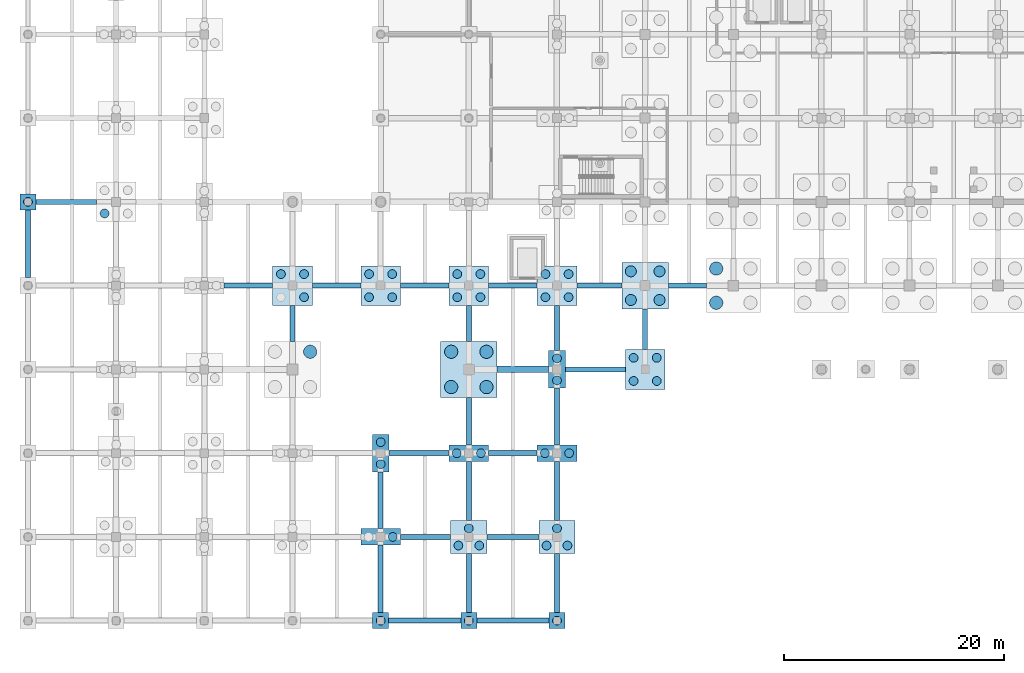
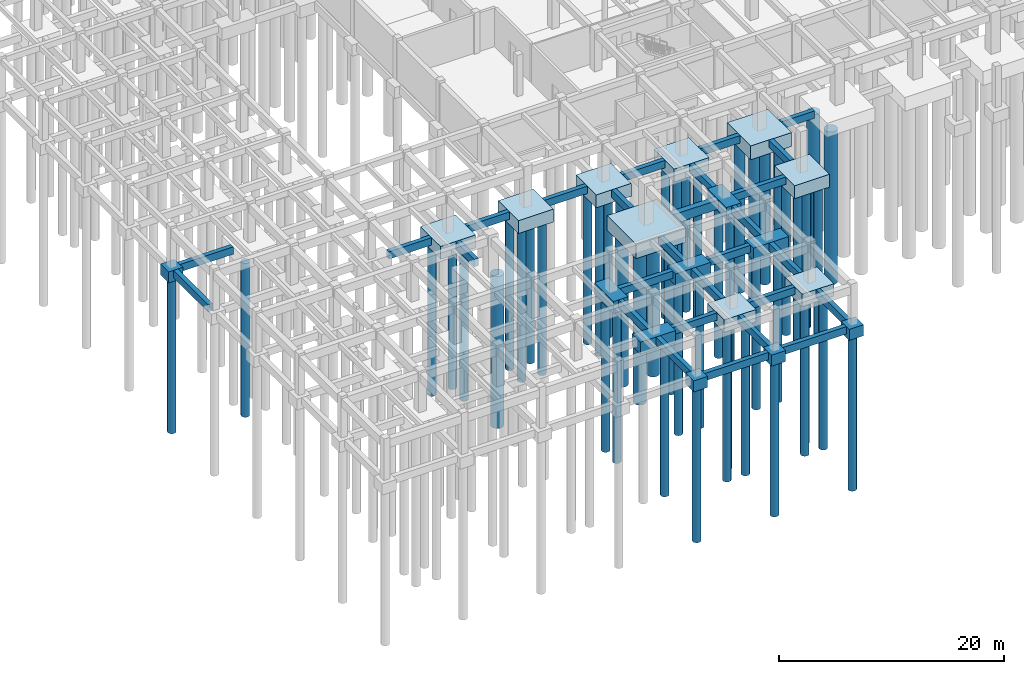
# One storey, part 2 of 49: 50 piles, 46 footings.
"""IFC4 building model written with IfcOpenShell, lengths in metres."""

import ifcopenshell
import ifcopenshell.guid

model = None  # the IFC model being written
_history = None  # IfcOwnerHistory: only IFC2X3 demands one
_inside = {}  # id of a spatial element -> (the spatial element, [elements in it])
_under = {}  # id of a project, library or spatial element -> (it, [spatial elements below it])
_declared = {}  # id of a project -> (the project, [libraries it declares])
_typed = {}  # id of a type object -> (the type object, [elements of that type])
_made_of = {}  # id of a material, layer set ... -> (it, [elements and type objects made of it])


def new_model(schema):
    """Start an empty IFC model of exactly this schema.

    Asked for "IFC4X3", IfcOpenShell would pick the latest addendum, in which some entities
    have other attributes; the version numbers below select the first issue.
    IFC2X3 requires an IfcOwnerHistory on every rooted entity: one is made here for all.
    """
    global model, _history
    if schema == "IFC4X3":
        model = ifcopenshell.file(schema_version=(4, 3, 0, 0))
    else:
        model = ifcopenshell.file(schema=schema)
    _inside.clear()
    _under.clear()
    _declared.clear()
    _typed.clear()
    _made_of.clear()
    _history = None
    if model.schema == "IFC2X3":
        org = make("IfcOrganization", Name="unknown")
        user = make(
            "IfcPersonAndOrganization",
            ThePerson=make("IfcPerson", FamilyName="unknown"),
            TheOrganization=org,
        )
        app = make(
            "IfcApplication",
            ApplicationDeveloper=org,
            Version="unknown",
            ApplicationFullName="unknown",
            ApplicationIdentifier="unknown",
        )
        _history = make(
            "IfcOwnerHistory",
            OwningUser=user,
            OwningApplication=app,
            ChangeAction="ADDED",
            CreationDate=0,
        )
    return model


def make(cls, **values):
    """One entity of the class cls with the attributes given. An attribute that is None is left unset."""
    return model.create_entity(
        cls, **{name: value for name, value in values.items() if value is not None}
    )


def rooted(cls, **values):
    """An entity with a GlobalId (a new one), such as an element, a storey or a relation."""
    return make(cls, GlobalId=ifcopenshell.guid.new(), OwnerHistory=_history, **values)


def si_unit(unit_type, name, prefix=None):
    """IfcSIUnit, for example si_unit("LENGTHUNIT", "METRE", prefix="MILLI")."""
    return make("IfcSIUnit", UnitType=unit_type, Prefix=prefix, Name=name)


def assignment(units):
    """IfcUnitAssignment: the units of a project."""
    return None if units is None else make("IfcUnitAssignment", Units=units)


def point(xyz):
    """IfcCartesianPoint."""
    return None if xyz is None else make("IfcCartesianPoint", Coordinates=xyz)


def direction(xyz):
    """IfcDirection."""
    return None if xyz is None else make("IfcDirection", DirectionRatios=xyz)


def frame(location, z_axis=None, x_axis=None):
    """IfcAxis2Placement3D, a coordinate frame: its origin and axes. An axis left out is left unset."""
    return make(
        "IfcAxis2Placement3D",
        Location=point(location),
        Axis=direction(z_axis),
        RefDirection=direction(x_axis),
    )


def frame_2d(location, x_axis=None):
    """IfcAxis2Placement2D, a coordinate frame in the plane: its origin and x axis."""
    return make(
        "IfcAxis2Placement2D", Location=point(location), RefDirection=direction(x_axis)
    )


def origin():
    """The frame at (0, 0, 0) with its axes left unset."""
    return frame((0.0, 0.0, 0.0))


def origin_2d():
    """The frame at (0, 0) in the plane with its x axis left unset."""
    return frame_2d((0.0, 0.0))


def place(relative_to, where):
    """IfcLocalPlacement: puts the frame where relative to a parent placement (None: the world)."""
    return make(
        "IfcLocalPlacement", PlacementRelTo=relative_to, RelativePlacement=where
    )


def context(
    kind, dimensions, precision=None, world=None, true_north=None, identifier=None
):
    """IfcGeometricRepresentationContext, for example the 3D "Model" context."""
    return make(
        "IfcGeometricRepresentationContext",
        ContextIdentifier=identifier,
        ContextType=kind,
        CoordinateSpaceDimension=dimensions,
        Precision=precision,
        WorldCoordinateSystem=world,
        TrueNorth=true_north,
    )


def subcontext(parent, identifier, kind, view, scale=None):
    """IfcGeometricRepresentationSubContext, for example "Body" below "Model"."""
    return make(
        "IfcGeometricRepresentationSubContext",
        ContextIdentifier=identifier,
        ContextType=kind,
        ParentContext=parent,
        TargetScale=scale,
        TargetView=view,
    )


def project(units=None, contexts=None):
    """IfcProject with its units and contexts."""
    return rooted(
        "IfcProject",
        Name="project",
        RepresentationContexts=contexts,
        UnitsInContext=assignment(units),
    )


def spatial(cls, under=None, at=None, **own):
    """A site, building, storey or space (cls), placed at a placement, below another one or the project."""
    s = rooted(cls, ObjectPlacement=at, **own)
    if under is not None:
        _under.setdefault(under.id(), (under, []))[1].append(s)
    return s


def profile(cls, at=None, kind="AREA", **sizes):
    """A parametric profile (cls). Its sizes go by their IFC names, for example OverallWidth=200.0."""
    return make(cls, ProfileType=kind, Position=at, **sizes)


def rectangle(**sizes):
    """IfcRectangleProfileDef."""
    return profile("IfcRectangleProfileDef", **sizes)


def circle(**sizes):
    """IfcCircleProfileDef."""
    return profile("IfcCircleProfileDef", **sizes)


def extrude(swept, where, along, depth):
    """IfcExtrudedAreaSolid: the profile swept, set in the frame where, extruded along a direction by depth."""
    return make(
        "IfcExtrudedAreaSolid",
        SweptArea=swept,
        Position=where,
        ExtrudedDirection=direction(along),
        Depth=depth,
    )


def shape(context_of_items, identifier, shape_type, items):
    """IfcShapeRepresentation: the items that make up one representation, for example the "Body"."""
    return make(
        "IfcShapeRepresentation",
        ContextOfItems=context_of_items,
        RepresentationIdentifier=identifier,
        RepresentationType=shape_type,
        Items=items,
    )


def material(Name=None, Category=None):
    """IfcMaterial."""
    return make("IfcMaterial", Name=Name, Category=Category)


def layer(
    of_material, thickness, ventilated=None, Name=None, Category=None, Priority=None
):
    """IfcMaterialLayer: one layer of a wall or slab, of a material (None: an air gap)."""
    return make(
        "IfcMaterialLayer",
        Material=of_material,
        LayerThickness=thickness,
        IsVentilated=ventilated,
        Name=Name,
        Category=Category,
        Priority=Priority,
    )


def layer_set(layers, Name=None):
    """IfcMaterialLayerSet."""
    return make("IfcMaterialLayerSet", MaterialLayers=layers, LayerSetName=Name)


def material_profile(
    of_material, cross_section, Name=None, Category=None, Priority=None
):
    """IfcMaterialProfile: a cross section and its material."""
    return make(
        "IfcMaterialProfile",
        Name=Name,
        Material=of_material,
        Profile=cross_section,
        Priority=Priority,
        Category=Category,
    )


def profile_set(profiles, Name=None, composite=None):
    """IfcMaterialProfileSet."""
    return make(
        "IfcMaterialProfileSet",
        Name=Name,
        MaterialProfiles=profiles,
        CompositeProfile=composite,
    )


def made_of(thing, what):
    """Note that an element or type object is made of a material, layer set ...; save() writes the relation."""
    if what is not None:
        _made_of.setdefault(what.id(), (what, []))[1].append(thing)
    return thing


def type_object(cls, material=None, **own):
    """A type object (cls), such as IfcWallType, which elements share."""
    return made_of(rooted(cls, **own), material)


def element(
    cls,
    number,
    at=None,
    inside=None,
    cuts=None,
    type_object=None,
    material=None,
    context=None,
    identifier="Body",
    shape_type=None,
    held_by="IfcProductDefinitionShape",
    body=None,
    shapes=None,
    **own,
):
    """One element of the class cls, such as IfcWall. Its Tag is "e" and its number.

    at: its placement. inside: the storey or other place that contains it. cuts: it is an
    opening in that element (IfcRelVoidsElement). A single representation is given by context,
    identifier, shape_type and body (its items); several are given by shapes. held_by: the class
    of the entity that holds the representations. save() writes the other relations.
    """
    e = rooted(cls, Tag="e%d" % number, ObjectPlacement=at, **own)
    if body is not None:
        shapes = [shape(context, identifier, shape_type, body)]
    if shapes is not None:
        e.Representation = make(held_by, Representations=shapes)
    if inside is not None:
        _inside.setdefault(inside.id(), (inside, []))[1].append(e)
    if cuts is not None:
        rooted(
            "IfcRelVoidsElement", RelatingBuildingElement=cuts, RelatedOpeningElement=e
        )
    if type_object is not None:
        _typed.setdefault(type_object.id(), (type_object, []))[1].append(e)
    return made_of(e, material)


def aggregate(whole, parts):
    """IfcRelAggregates: a whole, such as a stair, and the parts it consists of."""
    return rooted("IfcRelAggregates", RelatingObject=whole, RelatedObjects=parts)


def save(model, path):
    """Write the relations noted so far, then the file.

    IfcRelAggregates (storeys below a building ...), IfcRelContainedInSpatialStructure (elements
    in a storey), IfcRelDefinesByType, IfcRelAssociatesMaterial and IfcRelDeclares: one each for
    every whole, place, type object, material and project.
    """
    for whole, parts in _under.values():
        aggregate(whole, parts)
    for where, things in _inside.values():
        rooted(
            "IfcRelContainedInSpatialStructure",
            RelatedElements=things,
            RelatingStructure=where,
        )
    for kind, things in _typed.values():
        rooted("IfcRelDefinesByType", RelatedObjects=things, RelatingType=kind)
    for what, things in _made_of.values():
        rooted("IfcRelAssociatesMaterial", RelatedObjects=things, RelatingMaterial=what)
    for by, libraries in _declared.values():
        rooted("IfcRelDeclares", RelatingContext=by, RelatedDefinitions=libraries)
    model.write(path)


model = new_model("IFC4")

# Units and contexts
model_context = context("Model", 3, precision=1e-05, world=origin(), true_north=direction((0.0, 1.0)))
body_context = subcontext(model_context, "Body", "Model", "MODEL_VIEW")
ifc_project = project(units=[si_unit("LENGTHUNIT", "METRE"), si_unit("AREAUNIT", "SQUARE_METRE"), si_unit("VOLUMEUNIT", "CUBIC_METRE"), si_unit("PLANEANGLEUNIT", "RADIAN"), si_unit("MASSUNIT", "GRAM", prefix="KILO")], contexts=[model_context])

# Site, building, storey
site_placement = place(None, origin())
site = spatial("IfcSite", under=ifc_project, at=site_placement, CompositionType="ELEMENT")
building_placement = place(site_placement, origin())
building = spatial("IfcBuilding", under=site, at=building_placement, Name="Zantavel Square City Hall", CompositionType="ELEMENT")
storey_placement = place(building_placement, frame((0.0, 0.0, -4.5)))
storey = spatial("IfcBuildingStorey", under=building, at=storey_placement, Name="B1", CompositionType="ELEMENT", Elevation=-4.5)

# Piles
ifc_material_1 = material(Name="Concrete C35/45", Category="concrete")
ifc_material_profile_1 = material_profile(ifc_material_1, circle(Radius=0.5, at=origin_2d()), Name="PILE D1000")
ifc_profile_set_1 = profile_set([ifc_material_profile_1], Name="Concrete C35/45")
pile_type_1 = type_object("IfcPileType", Name="Bored Pile D1000 Concrete C35/45", PredefinedType="BORED", material=ifc_profile_set_1)
for number, where, z_axis, x_axis, name in (
    (1, (54.699951171875, 29.10009765625, -1.39990234375), (0.0, 0.0, -1.0), (1.0, 0.0, 0.0), "Bored Pile FDN-PL-0560-0304-1"),
    (2, (57.300048828125, 29.10009765625, -1.39990234375), (0.0, 0.0, -1.0), (1.0, 0.0, 0.0), "Bored Pile FDN-PL-0560-0304-2"),
    (3, (54.699951171875, 31.699951171875, -1.39990234375), (0.0, 0.0, -1.0), (1.0, 0.0, 0.0), "Bored Pile FDN-PL-0560-0304-3"),
    (4, (57.300048828125, 31.699951171875, -1.39990234375), (0.0, 0.0, -1.0), (1.0, 0.0, 0.0), "Bored Pile FDN-PL-0560-0304-4"),
):
    element("IfcPile", number, at=place(storey_placement, frame(where, z_axis=z_axis, x_axis=x_axis)), inside=storey, type_object=pile_type_1, Name=name, PredefinedType="BORED", context=body_context, shape_type="SweptSolid", body=[
        extrude(circle(Radius=0.5, at=origin_2d()), origin(), (0.0, 0.0, 1.0), 16.60009765625),
    ])
ifc_material_profile_2 = material_profile(ifc_material_1, circle(Radius=0.60009765625, at=origin_2d()), Name="PILE D1200")
ifc_profile_set_2 = profile_set([ifc_material_profile_2], Name="Concrete C35/45")
pile_type_2 = type_object("IfcPileType", Name="Bored Pile D1200 Concrete C35/45", PredefinedType="BORED", material=ifc_profile_set_2)
for number, where, z_axis, x_axis, name in (
    (5, (25.60009765625, 24.39990234375, -1.5), (0.0, 0.0, -1.0), (1.0, 0.0, 0.0), "Bored Pile FDN-PL-0240-0228-4"),
    (6, (38.39990234375, 21.199951171875, -1.5), (0.0, 0.0, -1.0), (1.0, 0.0, 0.0), "Bored Pile FDN-PL-0400-0228-1"),
    (7, (41.60009765625, 21.199951171875, -1.5), (0.0, 0.0, -1.0), (1.0, 0.0, 0.0), "Bored Pile FDN-PL-0400-0228-2"),
    (8, (38.39990234375, 24.39990234375, -1.5), (0.0, 0.0, -1.0), (1.0, 0.0, 0.0), "Bored Pile FDN-PL-0400-0228-3"),
    (9, (41.60009765625, 24.39990234375, -1.5), (0.0, 0.0, -1.0), (1.0, 0.0, 0.0), "Bored Pile FDN-PL-0400-0228-4"),
):
    element("IfcPile", number, at=place(storey_placement, frame(where, z_axis=z_axis, x_axis=x_axis)), inside=storey, type_object=pile_type_2, Name=name, PredefinedType="BORED", context=body_context, shape_type="SweptSolid", body=[
        extrude(circle(Radius=0.60009765625, at=origin_2d()), origin(), (0.0, 0.0, 1.0), 16.5),
    ])
for number, where, z_axis, x_axis, name in (
    (10, (62.449951171875, 28.85009765625, -1.39990234375), (0.0, 0.0, -1.0), (1.0, 0.0, 0.0), "Bored Pile FDN-PL-0640-0304-1"),
    (11, (62.449951171875, 31.949951171875, -1.39990234375), (0.0, 0.0, -1.0), (1.0, 0.0, 0.0), "Bored Pile FDN-PL-0640-0304-3"),
):
    element("IfcPile", number, at=place(storey_placement, frame(where, z_axis=z_axis, x_axis=x_axis)), inside=storey, type_object=pile_type_2, Name=name, PredefinedType="BORED", context=body_context, shape_type="SweptSolid", body=[
        extrude(circle(Radius=0.60009765625, at=origin_2d()), origin(), (0.0, 0.0, 1.0), 16.60009765625),
    ])
ifc_material_profile_3 = material_profile(ifc_material_1, circle(Radius=0.39990234375, at=origin_2d()), Name="PILE D800")
ifc_profile_set_3 = profile_set([ifc_material_profile_3], Name="Concrete C35/45")
pile_type_3 = type_object("IfcPileType", Name="Bored Pile D800 Concrete C35/45", PredefinedType="BORED", material=ifc_profile_set_3)
pile_1_placement = place(storey_placement, frame((0.0, 38.0, -1.10009765625), z_axis=(0.0, 0.0, -1.0), x_axis=(1.0, 0.0, 0.0)))
element("IfcPile", 12, at=pile_1_placement, inside=storey, type_object=pile_type_3, Name="Bored Pile FDN-PL-0000-0380-1", PredefinedType="BORED", context=body_context, shape_type="SweptSolid", body=[
    extrude(circle(Radius=0.39990234375, at=origin_2d()), origin(), (0.0, 0.0, 1.0), 16.89990234375),
])
for number, where, z_axis, x_axis, name in (
    (13, (6.949951171875, 36.949951171875, -1.300048828125), (0.0, 0.0, -1.0), (1.0, 0.0, 0.0), "Bored Pile FDN-PL-0080-0380-1"),
    (14, (25.050048828125, 29.35009765625, -1.300048828125), (0.0, 0.0, -1.0), (1.0, 0.0, 0.0), "Bored Pile FDN-PL-0240-0304-2"),
    (15, (22.949951171875, 31.449951171875, -1.300048828125), (0.0, 0.0, -1.0), (1.0, 0.0, 0.0), "Bored Pile FDN-PL-0240-0304-3"),
    (16, (25.050048828125, 31.449951171875, -1.300048828125), (0.0, 0.0, -1.0), (1.0, 0.0, 0.0), "Bored Pile FDN-PL-0240-0304-4"),
):
    element("IfcPile", number, at=place(storey_placement, frame(where, z_axis=z_axis, x_axis=x_axis)), inside=storey, type_object=pile_type_3, Name=name, PredefinedType="BORED", context=body_context, shape_type="SweptSolid", body=[
        extrude(circle(Radius=0.39990234375, at=origin_2d()), origin(), (0.0, 0.0, 1.0), 16.699951171875),
    ])
pile_2_placement = place(storey_placement, frame((32.0, 0.0, -1.10009765625), z_axis=(0.0, 0.0, -1.0), x_axis=(1.0, 0.0, 0.0)))
element("IfcPile", 17, at=pile_2_placement, inside=storey, type_object=pile_type_3, Name="Bored Pile FDN-PL-0320-0000-1", PredefinedType="BORED", context=body_context, shape_type="SweptSolid", body=[
    extrude(circle(Radius=0.39990234375, at=origin_2d()), origin(), (0.0, 0.0, 1.0), 16.89990234375),
])
for number, where, z_axis, x_axis, name in (
    (18, (33.10009765625, 7.60009765625, -1.199951171875), (0.0, 0.0, -1.0), (1.0, 0.0, 0.0), "Bored Pile FDN-PL-0320-0076-2"),
    (19, (32.0, 14.199951171875, -1.199951171875), (0.0, 0.0, -1.0), (1.0, 0.0, 0.0), "Bored Pile FDN-PL-0320-0152-1"),
    (20, (32.0, 16.199951171875, -1.199951171875), (0.0, 0.0, -1.0), (1.0, 0.0, 0.0), "Bored Pile FDN-PL-0320-0152-2"),
):
    element("IfcPile", number, at=place(storey_placement, frame(where, z_axis=z_axis, x_axis=x_axis)), inside=storey, type_object=pile_type_3, Name=name, PredefinedType="BORED", context=body_context, shape_type="SweptSolid", body=[
        extrude(circle(Radius=0.39990234375, at=origin_2d()), origin(), (0.0, 0.0, 1.0), 16.800048828125),
    ])
for number, where, z_axis, x_axis, name in (
    (21, (30.949951171875, 29.35009765625, -1.300048828125), (0.0, 0.0, -1.0), (1.0, 0.0, 0.0), "Bored Pile FDN-PL-0320-0304-1"),
    (22, (33.050048828125, 29.35009765625, -1.300048828125), (0.0, 0.0, -1.0), (1.0, 0.0, 0.0), "Bored Pile FDN-PL-0320-0304-2"),
    (23, (30.949951171875, 31.449951171875, -1.300048828125), (0.0, 0.0, -1.0), (1.0, 0.0, 0.0), "Bored Pile FDN-PL-0320-0304-3"),
    (24, (33.050048828125, 31.449951171875, -1.300048828125), (0.0, 0.0, -1.0), (1.0, 0.0, 0.0), "Bored Pile FDN-PL-0320-0304-4"),
):
    element("IfcPile", number, at=place(storey_placement, frame(where, z_axis=z_axis, x_axis=x_axis)), inside=storey, type_object=pile_type_3, Name=name, PredefinedType="BORED", context=body_context, shape_type="SweptSolid", body=[
        extrude(circle(Radius=0.39990234375, at=origin_2d()), origin(), (0.0, 0.0, 1.0), 16.699951171875),
    ])
pile_3_placement = place(storey_placement, frame((40.0, 0.0, -1.10009765625), z_axis=(0.0, 0.0, -1.0), x_axis=(1.0, 0.0, 0.0)))
element("IfcPile", 25, at=pile_3_placement, inside=storey, type_object=pile_type_3, Name="Bored Pile FDN-PL-0400-0000-1", PredefinedType="BORED", context=body_context, shape_type="SweptSolid", body=[
    extrude(circle(Radius=0.39990234375, at=origin_2d()), origin(), (0.0, 0.0, 1.0), 16.89990234375),
])
for number, where, z_axis, x_axis, name in (
    (26, (39.050048828125, 6.820068359375, -1.25), (0.0, 0.0, -1.0), (1.0, 0.0, 0.0), "Bored Pile FDN-PL-0400-0076-1"),
    (27, (40.949951171875, 6.820068359375, -1.25), (0.0, 0.0, -1.0), (1.0, 0.0, 0.0), "Bored Pile FDN-PL-0400-0076-2"),
    (28, (40.0, 8.3798828125, -1.25), (0.0, 0.0, -1.0), (1.0, 0.0, 0.0), "Bored Pile FDN-PL-0400-0076-3"),
):
    element("IfcPile", number, at=place(storey_placement, frame(where, z_axis=z_axis, x_axis=x_axis)), inside=storey, type_object=pile_type_3, Name=name, PredefinedType="BORED", context=body_context, shape_type="SweptSolid", body=[
        extrude(circle(Radius=0.39990234375, at=origin_2d()), origin(), (0.0, 0.0, 1.0), 16.75),
    ])
for number, where, z_axis, x_axis, name in (
    (29, (38.89990234375, 15.199951171875, -1.199951171875), (0.0, 0.0, -1.0), (1.0, 0.0, 0.0), "Bored Pile FDN-PL-0400-0152-1"),
    (30, (41.10009765625, 15.199951171875, -1.199951171875), (0.0, 0.0, -1.0), (1.0, 0.0, 0.0), "Bored Pile FDN-PL-0400-0152-2"),
):
    element("IfcPile", number, at=place(storey_placement, frame(where, z_axis=z_axis, x_axis=x_axis)), inside=storey, type_object=pile_type_3, Name=name, PredefinedType="BORED", context=body_context, shape_type="SweptSolid", body=[
        extrude(circle(Radius=0.39990234375, at=origin_2d()), origin(), (0.0, 0.0, 1.0), 16.800048828125),
    ])
for number, where, z_axis, x_axis, name in (
    (31, (38.949951171875, 29.35009765625, -1.300048828125), (0.0, 0.0, -1.0), (1.0, 0.0, 0.0), "Bored Pile FDN-PL-0400-0304-1"),
    (32, (41.050048828125, 29.35009765625, -1.300048828125), (0.0, 0.0, -1.0), (1.0, 0.0, 0.0), "Bored Pile FDN-PL-0400-0304-2"),
    (33, (38.949951171875, 31.449951171875, -1.300048828125), (0.0, 0.0, -1.0), (1.0, 0.0, 0.0), "Bored Pile FDN-PL-0400-0304-3"),
    (34, (41.050048828125, 31.449951171875, -1.300048828125), (0.0, 0.0, -1.0), (1.0, 0.0, 0.0), "Bored Pile FDN-PL-0400-0304-4"),
):
    element("IfcPile", number, at=place(storey_placement, frame(where, z_axis=z_axis, x_axis=x_axis)), inside=storey, type_object=pile_type_3, Name=name, PredefinedType="BORED", context=body_context, shape_type="SweptSolid", body=[
        extrude(circle(Radius=0.39990234375, at=origin_2d()), origin(), (0.0, 0.0, 1.0), 16.699951171875),
    ])
pile_4_placement = place(storey_placement, frame((48.0, 0.0, -1.10009765625), z_axis=(0.0, 0.0, -1.0), x_axis=(1.0, 0.0, 0.0)))
element("IfcPile", 35, at=pile_4_placement, inside=storey, type_object=pile_type_3, Name="Bored Pile FDN-PL-0480-0000-1", PredefinedType="BORED", context=body_context, shape_type="SweptSolid", body=[
    extrude(circle(Radius=0.39990234375, at=origin_2d()), origin(), (0.0, 0.0, 1.0), 16.89990234375),
])
for number, where, z_axis, x_axis, name in (
    (36, (47.050048828125, 6.820068359375, -1.25), (0.0, 0.0, -1.0), (1.0, 0.0, 0.0), "Bored Pile FDN-PL-0480-0076-1"),
    (37, (48.949951171875, 6.820068359375, -1.25), (0.0, 0.0, -1.0), (1.0, 0.0, 0.0), "Bored Pile FDN-PL-0480-0076-2"),
    (38, (48.0, 8.3798828125, -1.25), (0.0, 0.0, -1.0), (1.0, 0.0, 0.0), "Bored Pile FDN-PL-0480-0076-3"),
):
    element("IfcPile", number, at=place(storey_placement, frame(where, z_axis=z_axis, x_axis=x_axis)), inside=storey, type_object=pile_type_3, Name=name, PredefinedType="BORED", context=body_context, shape_type="SweptSolid", body=[
        extrude(circle(Radius=0.39990234375, at=origin_2d()), origin(), (0.0, 0.0, 1.0), 16.75),
    ])
for number, where, z_axis, x_axis, name in (
    (39, (46.89990234375, 15.199951171875, -1.199951171875), (0.0, 0.0, -1.0), (1.0, 0.0, 0.0), "Bored Pile FDN-PL-0480-0152-1"),
    (40, (49.10009765625, 15.199951171875, -1.199951171875), (0.0, 0.0, -1.0), (1.0, 0.0, 0.0), "Bored Pile FDN-PL-0480-0152-2"),
    (41, (48.0, 21.800048828125, -1.199951171875), (0.0, 0.0, -1.0), (1.0, 0.0, 0.0), "Bored Pile FDN-PL-0480-0228-1"),
    (42, (48.0, 23.800048828125, -1.199951171875), (0.0, 0.0, -1.0), (1.0, 0.0, 0.0), "Bored Pile FDN-PL-0480-0228-2"),
):
    element("IfcPile", number, at=place(storey_placement, frame(where, z_axis=z_axis, x_axis=x_axis)), inside=storey, type_object=pile_type_3, Name=name, PredefinedType="BORED", context=body_context, shape_type="SweptSolid", body=[
        extrude(circle(Radius=0.39990234375, at=origin_2d()), origin(), (0.0, 0.0, 1.0), 16.800048828125),
    ])
for number, where, z_axis, x_axis, name in (
    (43, (46.949951171875, 29.35009765625, -1.300048828125), (0.0, 0.0, -1.0), (1.0, 0.0, 0.0), "Bored Pile FDN-PL-0480-0304-1"),
    (44, (49.050048828125, 29.35009765625, -1.300048828125), (0.0, 0.0, -1.0), (1.0, 0.0, 0.0), "Bored Pile FDN-PL-0480-0304-2"),
    (45, (46.949951171875, 31.449951171875, -1.300048828125), (0.0, 0.0, -1.0), (1.0, 0.0, 0.0), "Bored Pile FDN-PL-0480-0304-3"),
    (46, (49.050048828125, 31.449951171875, -1.300048828125), (0.0, 0.0, -1.0), (1.0, 0.0, 0.0), "Bored Pile FDN-PL-0480-0304-4"),
    (47, (54.949951171875, 21.75, -1.300048828125), (0.0, 0.0, -1.0), (1.0, 0.0, 0.0), "Bored Pile FDN-PL-0560-0228-1"),
    (48, (57.050048828125, 21.75, -1.300048828125), (0.0, 0.0, -1.0), (1.0, 0.0, 0.0), "Bored Pile FDN-PL-0560-0228-2"),
    (49, (54.949951171875, 23.85009765625, -1.300048828125), (0.0, 0.0, -1.0), (1.0, 0.0, 0.0), "Bored Pile FDN-PL-0560-0228-3"),
    (50, (57.050048828125, 23.85009765625, -1.300048828125), (0.0, 0.0, -1.0), (1.0, 0.0, 0.0), "Bored Pile FDN-PL-0560-0228-4"),
):
    element("IfcPile", number, at=place(storey_placement, frame(where, z_axis=z_axis, x_axis=x_axis)), inside=storey, type_object=pile_type_3, Name=name, PredefinedType="BORED", context=body_context, shape_type="SweptSolid", body=[
        extrude(circle(Radius=0.39990234375, at=origin_2d()), origin(), (0.0, 0.0, 1.0), 16.699951171875),
    ])

# Footings
ifc_material_profile_4 = material_profile(ifc_material_1, rectangle(XDim=0.449951171875, YDim=0.800048828125, at=origin_2d()), Name="RC 450x800")
ifc_profile_set_4 = profile_set([ifc_material_profile_4], Name="Concrete C35/45")
footing_type_1 = type_object("IfcFootingType", Name="Courtyard Grade Tie Beam 450x800 C35/45", PredefinedType="FOOTING_BEAM", material=ifc_profile_set_4)
footing_1_placement = place(storey_placement, frame((0.0, 31.125, -0.39990234375), z_axis=(0.0, 1.0, 0.0), x_axis=(-1.0, 0.0, 0.0)))
element("IfcFooting", 51, at=footing_1_placement, inside=storey, type_object=footing_type_1, Name="Grade Tie Beam FDN-GTBY-0000-0304", PredefinedType="FOOTING_BEAM", context=body_context, shape_type="SweptSolid", body=[
    extrude(rectangle(XDim=0.449951171875, YDim=0.800048828125, at=origin_2d()), origin(), (0.0, 0.0, 1.0), 6.14990234375),
])
footing_2_placement = place(storey_placement, frame((0.72509765625, 38.0, -0.39990234375), z_axis=(1.0, 0.0, 0.0), x_axis=(0.0, 1.0, 0.0)))
element("IfcFooting", 52, at=footing_2_placement, inside=storey, type_object=footing_type_1, Name="Grade Tie Beam FDN-GTBX-0000-0380", PredefinedType="FOOTING_BEAM", context=body_context, shape_type="SweptSolid", body=[
    extrude(rectangle(XDim=0.449951171875, YDim=0.800048828125, at=origin_2d()), origin(), (0.0, 0.0, 1.0), 5.474853515625),
])
footing_3_placement = place(storey_placement, frame((17.800048828125, 30.39990234375, -0.39990234375), z_axis=(1.0, 0.0, 0.0), x_axis=(0.0, 1.0, 0.0)))
element("IfcFooting", 53, at=footing_3_placement, inside=storey, type_object=footing_type_1, Name="Grade Tie Beam FDN-GTBX-0160-0304", PredefinedType="FOOTING_BEAM", context=body_context, shape_type="SweptSolid", body=[
    extrude(rectangle(XDim=0.449951171875, YDim=0.800048828125, at=origin_2d()), origin(), (0.0, 0.0, 1.0), 4.39990234375),
])
footing_4_placement = place(storey_placement, frame((24.0, 25.35009765625, -0.39990234375), z_axis=(0.0, 1.0, 0.0), x_axis=(-1.0, 0.0, 0.0)))
element("IfcFooting", 54, at=footing_4_placement, inside=storey, type_object=footing_type_1, Name="Grade Tie Beam FDN-GTBY-0240-0228", PredefinedType="FOOTING_BEAM", context=body_context, shape_type="SweptSolid", body=[
    extrude(rectangle(XDim=0.449951171875, YDim=0.800048828125, at=origin_2d()), origin(), (0.0, 0.0, 1.0), 3.25),
])
footing_5_placement = place(storey_placement, frame((25.800048828125, 30.39990234375, -0.39990234375), z_axis=(1.0, 0.0, 0.0), x_axis=(0.0, 1.0, 0.0)))
element("IfcFooting", 55, at=footing_5_placement, inside=storey, type_object=footing_type_1, Name="Grade Tie Beam FDN-GTBX-0240-0304", PredefinedType="FOOTING_BEAM", context=body_context, shape_type="SweptSolid", body=[
    extrude(rectangle(XDim=0.449951171875, YDim=0.800048828125, at=origin_2d()), origin(), (0.0, 0.0, 1.0), 4.39990234375),
])
footing_6_placement = place(storey_placement, frame((32.72509765625, 0.0, -0.39990234375), z_axis=(1.0, 0.0, 0.0), x_axis=(0.0, 1.0, 0.0)))
element("IfcFooting", 56, at=footing_6_placement, inside=storey, type_object=footing_type_1, Name="Grade Tie Beam FDN-GTBX-0320-0000", PredefinedType="FOOTING_BEAM", context=body_context, shape_type="SweptSolid", body=[
    extrude(rectangle(XDim=0.449951171875, YDim=0.800048828125, at=origin_2d()), origin(), (0.0, 0.0, 1.0), 6.5498046875),
])
footing_7_placement = place(storey_placement, frame((32.0, 0.72509765625, -0.39990234375), z_axis=(0.0, 1.0, 0.0), x_axis=(-1.0, 0.0, 0.0)))
element("IfcFooting", 57, at=footing_7_placement, inside=storey, type_object=footing_type_1, Name="Grade Tie Beam FDN-GTBY-0320-0000", PredefinedType="FOOTING_BEAM", context=body_context, shape_type="SweptSolid", body=[
    extrude(rectangle(XDim=0.449951171875, YDim=0.800048828125, at=origin_2d()), origin(), (0.0, 0.0, 1.0), 6.125),
])
footing_8_placement = place(storey_placement, frame((33.800048828125, 7.60009765625, -0.39990234375), z_axis=(1.0, 0.0, 0.0), x_axis=(0.0, 1.0, 0.0)))
element("IfcFooting", 58, at=footing_8_placement, inside=storey, type_object=footing_type_1, Name="Grade Tie Beam FDN-GTBX-0320-0076", PredefinedType="FOOTING_BEAM", context=body_context, shape_type="SweptSolid", body=[
    extrude(rectangle(XDim=0.449951171875, YDim=0.800048828125, at=origin_2d()), origin(), (0.0, 0.0, 1.0), 4.550048828125),
])
footing_9_placement = place(storey_placement, frame((32.0, 8.35009765625, -0.39990234375), z_axis=(0.0, 1.0, 0.0), x_axis=(-1.0, 0.0, 0.0)))
element("IfcFooting", 59, at=footing_9_placement, inside=storey, type_object=footing_type_1, Name="Grade Tie Beam FDN-GTBY-0320-0076", PredefinedType="FOOTING_BEAM", context=body_context, shape_type="SweptSolid", body=[
    extrude(rectangle(XDim=0.449951171875, YDim=0.800048828125, at=origin_2d()), origin(), (0.0, 0.0, 1.0), 5.14990234375),
])
footing_10_placement = place(storey_placement, frame((32.75, 15.199951171875, -0.39990234375), z_axis=(1.0, 0.0, 0.0), x_axis=(0.0, 1.0, 0.0)))
element("IfcFooting", 60, at=footing_10_placement, inside=storey, type_object=footing_type_1, Name="Grade Tie Beam FDN-GTBX-0320-0152", PredefinedType="FOOTING_BEAM", context=body_context, shape_type="SweptSolid", body=[
    extrude(rectangle(XDim=0.449951171875, YDim=0.800048828125, at=origin_2d()), origin(), (0.0, 0.0, 1.0), 5.449951171875),
])
footing_11_placement = place(storey_placement, frame((33.800048828125, 30.39990234375, -0.39990234375), z_axis=(1.0, 0.0, 0.0), x_axis=(0.0, 1.0, 0.0)))
element("IfcFooting", 61, at=footing_11_placement, inside=storey, type_object=footing_type_1, Name="Grade Tie Beam FDN-GTBX-0320-0304", PredefinedType="FOOTING_BEAM", context=body_context, shape_type="SweptSolid", body=[
    extrude(rectangle(XDim=0.449951171875, YDim=0.800048828125, at=origin_2d()), origin(), (0.0, 0.0, 1.0), 4.39990234375),
])
footing_12_placement = place(storey_placement, frame((40.72509765625, 0.0, -0.39990234375), z_axis=(1.0, 0.0, 0.0), x_axis=(0.0, 1.0, 0.0)))
element("IfcFooting", 62, at=footing_12_placement, inside=storey, type_object=footing_type_1, Name="Grade Tie Beam FDN-GTBX-0400-0000", PredefinedType="FOOTING_BEAM", context=body_context, shape_type="SweptSolid", body=[
    extrude(rectangle(XDim=0.449951171875, YDim=0.800048828125, at=origin_2d()), origin(), (0.0, 0.0, 1.0), 6.5498046875),
])
footing_13_placement = place(storey_placement, frame((40.0, 0.72509765625, -0.39990234375), z_axis=(0.0, 1.0, 0.0), x_axis=(-1.0, 0.0, 0.0)))
element("IfcFooting", 63, at=footing_13_placement, inside=storey, type_object=footing_type_1, Name="Grade Tie Beam FDN-GTBY-0400-0000", PredefinedType="FOOTING_BEAM", context=body_context, shape_type="SweptSolid", body=[
    extrude(rectangle(XDim=0.449951171875, YDim=0.800048828125, at=origin_2d()), origin(), (0.0, 0.0, 1.0), 5.375),
])
footing_14_placement = place(storey_placement, frame((41.64990234375, 7.60009765625, -0.39990234375), z_axis=(1.0, 0.0, 0.0), x_axis=(0.0, 1.0, 0.0)))
element("IfcFooting", 64, at=footing_14_placement, inside=storey, type_object=footing_type_1, Name="Grade Tie Beam FDN-GTBX-0400-0076", PredefinedType="FOOTING_BEAM", context=body_context, shape_type="SweptSolid", body=[
    extrude(rectangle(XDim=0.449951171875, YDim=0.800048828125, at=origin_2d()), origin(), (0.0, 0.0, 1.0), 4.7001953125),
])
footing_15_placement = place(storey_placement, frame((40.0, 9.10009765625, -0.39990234375), z_axis=(0.0, 1.0, 0.0), x_axis=(-1.0, 0.0, 0.0)))
element("IfcFooting", 65, at=footing_15_placement, inside=storey, type_object=footing_type_1, Name="Grade Tie Beam FDN-GTBY-0400-0076", PredefinedType="FOOTING_BEAM", context=body_context, shape_type="SweptSolid", body=[
    extrude(rectangle(XDim=0.449951171875, YDim=0.800048828125, at=origin_2d()), origin(), (0.0, 0.0, 1.0), 5.349853515625),
])
footing_16_placement = place(storey_placement, frame((41.800048828125, 15.199951171875, -0.39990234375), z_axis=(1.0, 0.0, 0.0), x_axis=(0.0, 1.0, 0.0)))
element("IfcFooting", 66, at=footing_16_placement, inside=storey, type_object=footing_type_1, Name="Grade Tie Beam FDN-GTBX-0400-0152", PredefinedType="FOOTING_BEAM", context=body_context, shape_type="SweptSolid", body=[
    extrude(rectangle(XDim=0.449951171875, YDim=0.800048828125, at=origin_2d()), origin(), (0.0, 0.0, 1.0), 4.39990234375),
])
footing_17_placement = place(storey_placement, frame((40.0, 15.949951171875, -0.39990234375), z_axis=(0.0, 1.0, 0.0), x_axis=(-1.0, 0.0, 0.0)))
element("IfcFooting", 67, at=footing_17_placement, inside=storey, type_object=footing_type_1, Name="Grade Tie Beam FDN-GTBY-0400-0152", PredefinedType="FOOTING_BEAM", context=body_context, shape_type="SweptSolid", body=[
    extrude(rectangle(XDim=0.449951171875, YDim=0.800048828125, at=origin_2d()), origin(), (0.0, 0.0, 1.0), 4.300048828125),
])
footing_18_placement = place(storey_placement, frame((40.0, 25.35009765625, -0.39990234375), z_axis=(0.0, 1.0, 0.0), x_axis=(-1.0, 0.0, 0.0)))
element("IfcFooting", 68, at=footing_18_placement, inside=storey, type_object=footing_type_1, Name="Grade Tie Beam FDN-GTBY-0400-0228", PredefinedType="FOOTING_BEAM", context=body_context, shape_type="SweptSolid", body=[
    extrude(rectangle(XDim=0.449951171875, YDim=0.800048828125, at=origin_2d()), origin(), (0.0, 0.0, 1.0), 3.25),
])
footing_19_placement = place(storey_placement, frame((41.800048828125, 30.39990234375, -0.39990234375), z_axis=(1.0, 0.0, 0.0), x_axis=(0.0, 1.0, 0.0)))
element("IfcFooting", 69, at=footing_19_placement, inside=storey, type_object=footing_type_1, Name="Grade Tie Beam FDN-GTBX-0400-0304", PredefinedType="FOOTING_BEAM", context=body_context, shape_type="SweptSolid", body=[
    extrude(rectangle(XDim=0.449951171875, YDim=0.800048828125, at=origin_2d()), origin(), (0.0, 0.0, 1.0), 4.39990234375),
])
footing_20_placement = place(storey_placement, frame((48.0, 0.72509765625, -0.39990234375), z_axis=(0.0, 1.0, 0.0), x_axis=(-1.0, 0.0, 0.0)))
element("IfcFooting", 70, at=footing_20_placement, inside=storey, type_object=footing_type_1, Name="Grade Tie Beam FDN-GTBY-0480-0000", PredefinedType="FOOTING_BEAM", context=body_context, shape_type="SweptSolid", body=[
    extrude(rectangle(XDim=0.449951171875, YDim=0.800048828125, at=origin_2d()), origin(), (0.0, 0.0, 1.0), 5.375),
])
footing_21_placement = place(storey_placement, frame((48.0, 9.10009765625, -0.39990234375), z_axis=(0.0, 1.0, 0.0), x_axis=(-1.0, 0.0, 0.0)))
element("IfcFooting", 71, at=footing_21_placement, inside=storey, type_object=footing_type_1, Name="Grade Tie Beam FDN-GTBY-0480-0076", PredefinedType="FOOTING_BEAM", context=body_context, shape_type="SweptSolid", body=[
    extrude(rectangle(XDim=0.449951171875, YDim=0.800048828125, at=origin_2d()), origin(), (0.0, 0.0, 1.0), 5.349853515625),
])
footing_22_placement = place(storey_placement, frame((48.0, 15.949951171875, -0.39990234375), z_axis=(0.0, 1.0, 0.0), x_axis=(-1.0, 0.0, 0.0)))
element("IfcFooting", 72, at=footing_22_placement, inside=storey, type_object=footing_type_1, Name="Grade Tie Beam FDN-GTBY-0480-0152", PredefinedType="FOOTING_BEAM", context=body_context, shape_type="SweptSolid", body=[
    extrude(rectangle(XDim=0.449951171875, YDim=0.800048828125, at=origin_2d()), origin(), (0.0, 0.0, 1.0), 5.150146484375),
])
footing_23_placement = place(storey_placement, frame((48.75, 22.800048828125, -0.39990234375), z_axis=(1.0, 0.0, 0.0), x_axis=(0.0, 1.0, 0.0)))
element("IfcFooting", 73, at=footing_23_placement, inside=storey, type_object=footing_type_1, Name="Grade Tie Beam FDN-GTBX-0480-0228", PredefinedType="FOOTING_BEAM", context=body_context, shape_type="SweptSolid", body=[
    extrude(rectangle(XDim=0.449951171875, YDim=0.800048828125, at=origin_2d()), origin(), (0.0, 0.0, 1.0), 5.449951171875),
])
footing_24_placement = place(storey_placement, frame((48.0, 24.5, -0.39990234375), z_axis=(0.0, 1.0, 0.0), x_axis=(-1.0, 0.0, 0.0)))
element("IfcFooting", 74, at=footing_24_placement, inside=storey, type_object=footing_type_1, Name="Grade Tie Beam FDN-GTBY-0480-0228", PredefinedType="FOOTING_BEAM", context=body_context, shape_type="SweptSolid", body=[
    extrude(rectangle(XDim=0.449951171875, YDim=0.800048828125, at=origin_2d()), origin(), (0.0, 0.0, 1.0), 4.10009765625),
])
footing_25_placement = place(storey_placement, frame((49.800048828125, 30.39990234375, -0.39990234375), z_axis=(1.0, 0.0, 0.0), x_axis=(0.0, 1.0, 0.0)))
element("IfcFooting", 75, at=footing_25_placement, inside=storey, type_object=footing_type_1, Name="Grade Tie Beam FDN-GTBX-0480-0304", PredefinedType="FOOTING_BEAM", context=body_context, shape_type="SweptSolid", body=[
    extrude(rectangle(XDim=0.449951171875, YDim=0.800048828125, at=origin_2d()), origin(), (0.0, 0.0, 1.0), 4.099853515625),
])
footing_26_placement = place(storey_placement, frame((56.0, 24.60009765625, -0.39990234375), z_axis=(0.0, 1.0, 0.0), x_axis=(-1.0, 0.0, 0.0)))
element("IfcFooting", 76, at=footing_26_placement, inside=storey, type_object=footing_type_1, Name="Grade Tie Beam FDN-GTBY-0560-0228", PredefinedType="FOOTING_BEAM", context=body_context, shape_type="SweptSolid", body=[
    extrude(rectangle(XDim=0.449951171875, YDim=0.800048828125, at=origin_2d()), origin(), (0.0, 0.0, 1.0), 3.699951171875),
])
footing_27_placement = place(storey_placement, frame((58.10009765625, 30.39990234375, -0.39990234375), z_axis=(1.0, 0.0, 0.0), x_axis=(0.0, 1.0, 0.0)))
element("IfcFooting", 77, at=footing_27_placement, inside=storey, type_object=footing_type_1, Name="Grade Tie Beam FDN-GTBX-0560-0304", PredefinedType="FOOTING_BEAM", context=body_context, shape_type="SweptSolid", body=[
    extrude(rectangle(XDim=0.449951171875, YDim=0.800048828125, at=origin_2d()), origin(), (0.0, 0.0, 1.0), 3.449951171875),
])
ifc_material_2 = material(Name="Concrete C40/50", Category="concrete")
ifc_material_profile_5 = material_profile(ifc_material_2, rectangle(XDim=0.60009765625, YDim=1.0, at=origin_2d()), Name="RC 600x1000")
ifc_profile_set_5 = profile_set([ifc_material_profile_5], Name="Concrete C40/50")
footing_type_2 = type_object("IfcFootingType", Name="Heavy Perimeter Grade Tie Beam 600x1000 C40/50", PredefinedType="FOOTING_BEAM", material=ifc_profile_set_5)
footing_28_placement = place(storey_placement, frame((42.550048828125, 22.800048828125, -0.5), z_axis=(1.0, 0.0, 0.0), x_axis=(0.0, 1.0, 0.0)))
element("IfcFooting", 78, at=footing_28_placement, inside=storey, type_object=footing_type_2, Name="Grade Tie Beam FDN-GTBX-0400-0228", PredefinedType="FOOTING_BEAM", context=body_context, shape_type="SweptSolid", body=[
    extrude(rectangle(XDim=0.60009765625, YDim=1.0, at=origin_2d()), origin(), (0.0, 0.0, 1.0), 4.699951171875),
])
ifc_layer_1 = layer(ifc_material_2, 1.199951171875, Name="Concrete C40/50")
ifc_layer_set_1 = layer_set([ifc_layer_1], Name="Concrete C40/50")
footing_type_3 = type_object("IfcFootingType", Name="Pile Cap 1P-D800 1450x1450x1200", PredefinedType="PILE_CAP", material=ifc_layer_set_1)
for number, where, z_axis, x_axis, name in (
    (79, (0.0, 38.0, -1.2001953125), (0.0, 0.0, 1.0), (1.0, 0.0, 0.0), "Pile Cap FDN-PC-0000-0380"),
    (80, (32.0, 0.0, -1.2001953125), (0.0, 0.0, 1.0), (1.0, 0.0, 0.0), "Pile Cap FDN-PC-0320-0000"),
    (81, (40.0, 0.0, -1.2001953125), (0.0, 0.0, 1.0), (1.0, 0.0, 0.0), "Pile Cap FDN-PC-0400-0000"),
    (82, (48.0, 0.0, -1.2001953125), (0.0, 0.0, 1.0), (1.0, 0.0, 0.0), "Pile Cap FDN-PC-0480-0000"),
):
    element("IfcFooting", number, at=place(storey_placement, frame(where, z_axis=z_axis, x_axis=x_axis)), inside=storey, type_object=footing_type_3, Name=name, PredefinedType="PILE_CAP", context=body_context, shape_type="SweptSolid", body=[
        extrude(rectangle(XDim=1.449951171875, YDim=1.449951171875, at=origin_2d()), origin(), (0.0, 0.0, 1.0), 1.199951171875),
    ])
ifc_layer_2 = layer(ifc_material_2, 1.300048828125, Name="Concrete C40/50")
ifc_layer_set_2 = layer_set([ifc_layer_2], Name="Concrete C40/50")
footing_type_4 = type_object("IfcFootingType", Name="Pile Cap 2P-D800X 3600x1500x1300", PredefinedType="PILE_CAP", material=ifc_layer_set_2)
for number, where, z_axis, x_axis, name in (
    (83, (32.0, 7.60009765625, -1.2998046875), (0.0, 0.0, 1.0), (1.0, 0.0, 0.0), "Pile Cap FDN-PC-0320-0076"),
    (84, (40.0, 15.199951171875, -1.2998046875), (0.0, 0.0, 1.0), (1.0, 0.0, 0.0), "Pile Cap FDN-PC-0400-0152"),
    (85, (48.0, 15.199951171875, -1.2998046875), (0.0, 0.0, 1.0), (1.0, 0.0, 0.0), "Pile Cap FDN-PC-0480-0152"),
):
    element("IfcFooting", number, at=place(storey_placement, frame(where, z_axis=z_axis, x_axis=x_axis)), inside=storey, type_object=footing_type_4, Name=name, PredefinedType="PILE_CAP", context=body_context, shape_type="SweptSolid", body=[
        extrude(rectangle(XDim=3.60009765625, YDim=1.5, at=origin_2d()), origin(), (0.0, 0.0, 1.0), 1.300048828125),
    ])
ifc_layer_3 = layer(ifc_material_2, 1.300048828125, Name="Concrete C40/50")
ifc_layer_set_3 = layer_set([ifc_layer_3], Name="Concrete C40/50")
footing_type_5 = type_object("IfcFootingType", Name="Pile Cap 2P-D800Y 1500x3400x1300", PredefinedType="PILE_CAP", material=ifc_layer_set_3)
for number, where, z_axis, x_axis, name in (
    (86, (32.0, 15.199951171875, -1.2998046875), (0.0, 0.0, 1.0), (1.0, 0.0, 0.0), "Pile Cap FDN-PC-0320-0152"),
    (87, (48.0, 22.800048828125, -1.2998046875), (0.0, 0.0, 1.0), (1.0, 0.0, 0.0), "Pile Cap FDN-PC-0480-0228"),
):
    element("IfcFooting", number, at=place(storey_placement, frame(where, z_axis=z_axis, x_axis=x_axis)), inside=storey, type_object=footing_type_5, Name=name, PredefinedType="PILE_CAP", context=body_context, shape_type="SweptSolid", body=[
        extrude(rectangle(XDim=1.5, YDim=3.39990234375, at=origin_2d()), origin(), (0.0, 0.0, 1.0), 1.300048828125),
    ])
ifc_layer_4 = layer(ifc_material_2, 1.35009765625, Name="Concrete C40/50")
ifc_layer_set_4 = layer_set([ifc_layer_4], Name="Concrete C40/50")
footing_type_6 = type_object("IfcFootingType", Name="Pile Cap 3P-D800 3300x3000x1350", PredefinedType="PILE_CAP", material=ifc_layer_set_4)
for number, where, z_axis, x_axis, name in (
    (88, (40.0, 7.60009765625, -1.35009765625), (0.0, 0.0, 1.0), (1.0, 0.0, 0.0), "Pile Cap FDN-PC-0400-0076"),
    (89, (48.0, 7.60009765625, -1.35009765625), (0.0, 0.0, 1.0), (1.0, 0.0, 0.0), "Pile Cap FDN-PC-0480-0076"),
):
    element("IfcFooting", number, at=place(storey_placement, frame(where, z_axis=z_axis, x_axis=x_axis)), inside=storey, type_object=footing_type_6, Name=name, PredefinedType="PILE_CAP", context=body_context, shape_type="SweptSolid", body=[
        extrude(rectangle(XDim=3.300048828125, YDim=3.0, at=origin_2d()), origin(), (0.0, 0.0, 1.0), 1.35009765625),
    ])
ifc_layer_5 = layer(ifc_material_2, 1.5, Name="Concrete C40/50")
ifc_layer_set_5 = layer_set([ifc_layer_5], Name="Concrete C40/50")
footing_type_7 = type_object("IfcFootingType", Name="Pile Cap 4P-D1000 4200x4200x1500", PredefinedType="PILE_CAP", material=ifc_layer_set_5)
footing_29_placement = place(storey_placement, frame((56.0, 30.39990234375, -1.5), z_axis=(0.0, 0.0, 1.0), x_axis=(1.0, 0.0, 0.0)))
element("IfcFooting", 90, at=footing_29_placement, inside=storey, type_object=footing_type_7, Name="Pile Cap FDN-PC-0560-0304", PredefinedType="PILE_CAP", context=body_context, shape_type="SweptSolid", body=[
    extrude(rectangle(XDim=4.199951171875, YDim=4.199951171875, at=origin_2d()), origin(), (0.0, 0.0, 1.0), 1.5),
])
ifc_layer_6 = layer(ifc_material_2, 1.60009765625, Name="Concrete C40/50")
ifc_layer_set_6 = layer_set([ifc_layer_6], Name="Concrete C40/50")
footing_type_8 = type_object("IfcFootingType", Name="Pile Cap 4P-D1200T 5100x5100x1600", PredefinedType="PILE_CAP", material=ifc_layer_set_6)
footing_30_placement = place(storey_placement, frame((40.0, 22.800048828125, -1.60009765625), z_axis=(0.0, 0.0, 1.0), x_axis=(1.0, 0.0, 0.0)))
element("IfcFooting", 91, at=footing_30_placement, inside=storey, type_object=footing_type_8, Name="Pile Cap FDN-PC-0400-0228", PredefinedType="PILE_CAP", context=body_context, shape_type="SweptSolid", body=[
    extrude(rectangle(XDim=5.10009765625, YDim=5.10009765625, at=origin_2d()), origin(), (0.0, 0.0, 1.0), 1.60009765625),
])
ifc_layer_7 = layer(ifc_material_2, 1.39990234375, Name="Concrete C40/50")
ifc_layer_set_7 = layer_set([ifc_layer_7], Name="Concrete C40/50")
footing_type_9 = type_object("IfcFootingType", Name="Pile Cap 4P-D800 3600x3600x1400", PredefinedType="PILE_CAP", material=ifc_layer_set_7)
for number, where, z_axis, x_axis, name in (
    (92, (24.0, 30.39990234375, -1.39990234375), (0.0, 0.0, 1.0), (1.0, 0.0, 0.0), "Pile Cap FDN-PC-0240-0304"),
    (93, (32.0, 30.39990234375, -1.39990234375), (0.0, 0.0, 1.0), (1.0, 0.0, 0.0), "Pile Cap FDN-PC-0320-0304"),
    (94, (40.0, 30.39990234375, -1.39990234375), (0.0, 0.0, 1.0), (1.0, 0.0, 0.0), "Pile Cap FDN-PC-0400-0304"),
    (95, (48.0, 30.39990234375, -1.39990234375), (0.0, 0.0, 1.0), (1.0, 0.0, 0.0), "Pile Cap FDN-PC-0480-0304"),
    (96, (56.0, 22.800048828125, -1.39990234375), (0.0, 0.0, 1.0), (1.0, 0.0, 0.0), "Pile Cap FDN-PC-0560-0228"),
):
    element("IfcFooting", number, at=place(storey_placement, frame(where, z_axis=z_axis, x_axis=x_axis)), inside=storey, type_object=footing_type_9, Name=name, PredefinedType="PILE_CAP", context=body_context, shape_type="SweptSolid", body=[
        extrude(rectangle(XDim=3.60009765625, YDim=3.60009765625, at=origin_2d()), origin(), (0.0, 0.0, 1.0), 1.39990234375),
    ])

save(model, "model.ifc")
